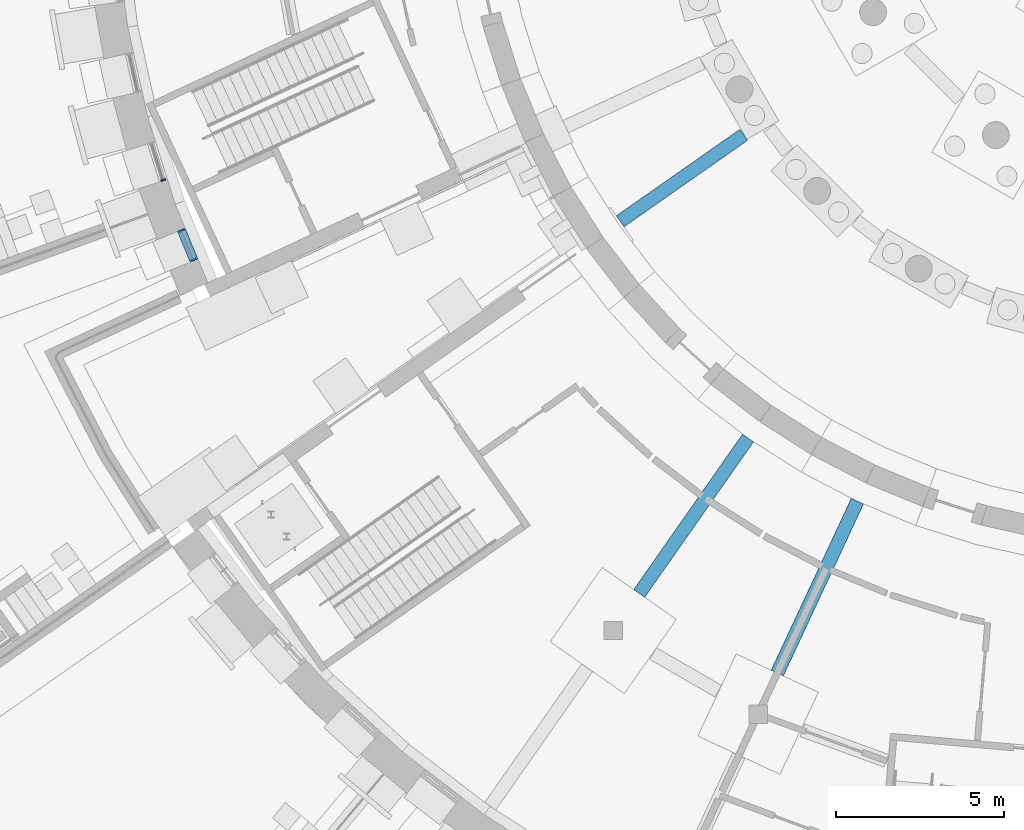
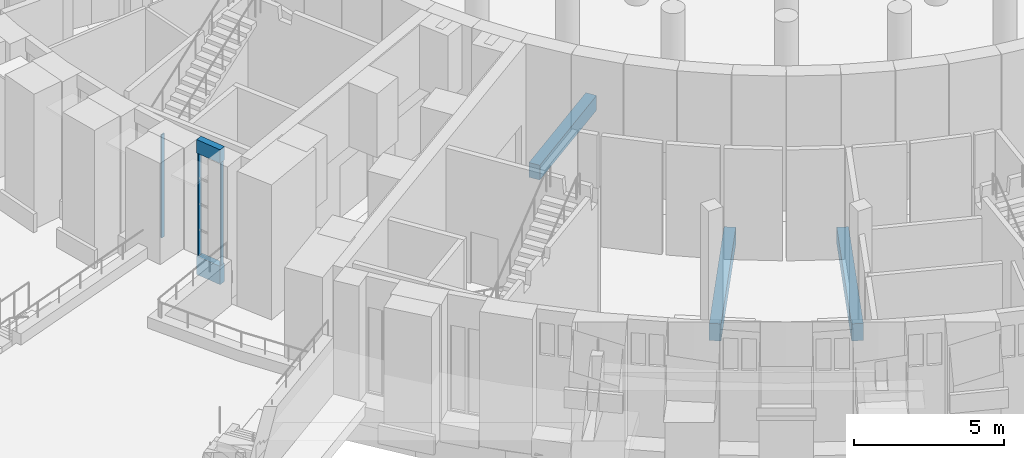
# One storey, part 14 of 65: 5 beams, 3 members, 2 elements without a shape of their own.
"""IFC4 building model written with IfcOpenShell, lengths in metres."""

from ifc_helpers import new_model, si_unit, direction, frame, origin, origin_2d, place, context, subcontext, project, spatial, rectangle, extrude, material, layer, layer_set, material_profile, profile_set, type_object, element, aggregate, save


model = new_model("IFC4")

# Units and contexts
model_context = context("Model", 3, precision=1e-05, world=origin(), true_north=direction((0.0, 1.0)))
body_context = subcontext(model_context, "Body", "Model", "MODEL_VIEW")
ifc_project = project(units=[si_unit("LENGTHUNIT", "METRE"), si_unit("AREAUNIT", "SQUARE_METRE"), si_unit("VOLUMEUNIT", "CUBIC_METRE"), si_unit("PLANEANGLEUNIT", "RADIAN"), si_unit("MASSUNIT", "GRAM", prefix="KILO")], contexts=[model_context])

# Site, building, storey
site_placement = place(None, origin())
site = spatial("IfcSite", under=ifc_project, at=site_placement, CompositionType="ELEMENT")
building_placement = place(site_placement, origin())
building = spatial("IfcBuilding", under=site, at=building_placement, Name="Volute Hill Aquarium", CompositionType="ELEMENT")
storey_placement = place(building_placement, frame((0.0, 0.0, -5.5)))
storey = spatial("IfcBuildingStorey", under=building, at=storey_placement, Name="L00", CompositionType="ELEMENT", Elevation=-5.5)

# Curtain wall, member
ifc_material_1 = material(Name="Aluminium", Category="aluminium")
ifc_layer_1 = layer(ifc_material_1, 0.25)
ifc_layer_set_1 = layer_set([ifc_layer_1], Name="Curtain wall niche S1 module 1193")
curtain_wall_type_1 = type_object("IfcCurtainWallType", Name="Curtain wall niche S1 module 1193", PredefinedType="NOTDEFINED", material=ifc_layer_set_1)
curtain_wall_1_placement = place(storey_placement, origin())
curtain_wall_1 = element("IfcCurtainWall", 1, at=curtain_wall_1_placement, inside=storey, type_object=curtain_wall_type_1, Name="Curtain wall CW S1 L00 9", PredefinedType="NOTDEFINED")
ifc_material_2 = material(Name="Aluminium", Category="aluminium")
ifc_material_profile_1 = material_profile(ifc_material_2, rectangle(XDim=0.14990234375, YDim=0.050048828125, at=origin_2d()), Name="Curtain wall mullion S1 50x150")
ifc_profile_set_1 = profile_set([ifc_material_profile_1], Name="Aluminium")
member_type = type_object("IfcMemberType", Name="Curtain wall mullion S1 50x150", PredefinedType="MULLION", material=ifc_profile_set_1)
member_1_placement = place(storey_placement, frame((-29.8173828125, -10.000732421875, 0.75), z_axis=(0.0, 0.0, 1.0), x_axis=(0.95371888454, 0.30069966623, 0.0)))
member_1 = element("IfcMember", 2, at=member_1_placement, type_object=member_type, Name="CW mullion 2", PredefinedType="MULLION", context=body_context, shape_type="SweptSolid", body=[
    extrude(rectangle(XDim=0.14990234375, YDim=0.050048828125, at=origin_2d()), origin(), (0.0, 0.0, 1.0), 4.199951171875),
])
aggregate(curtain_wall_1, [member_1])

# Curtain wall, members
ifc_material_3 = material(Name="Aluminium", Category="aluminium")
ifc_layer_2 = layer(ifc_material_3, 0.25)
ifc_layer_set_2 = layer_set([ifc_layer_2], Name="Curtain wall niche S1 module 993")
curtain_wall_type_2 = type_object("IfcCurtainWallType", Name="Curtain wall niche S1 module 993", PredefinedType="NOTDEFINED", material=ifc_layer_set_2)
curtain_wall_2_placement = place(storey_placement, origin())
curtain_wall_2 = element("IfcCurtainWall", 3, at=curtain_wall_2_placement, inside=storey, type_object=curtain_wall_type_2, Name="Curtain wall CW S1 L00 10", PredefinedType="NOTDEFINED")
member_2_placement = place(storey_placement, frame((-29.269775390625, -11.50537109375, 0.75), z_axis=(0.0, 0.0, 1.0), x_axis=(0.923885219671, 0.382669702059, 0.0)))
member_2 = element("IfcMember", 4, at=member_2_placement, type_object=member_type, Name="CW mullion 1", PredefinedType="MULLION", context=body_context, shape_type="SweptSolid", body=[
    extrude(rectangle(XDim=0.14990234375, YDim=0.050048828125, at=origin_2d()), origin(), (0.0, 0.0, 1.0), 4.199951171875),
])
member_3_placement = place(storey_placement, frame((-28.9091796875, -12.37646484375, 0.75), z_axis=(0.0, 0.0, 1.0), x_axis=(0.923885219671, 0.382669702059, 0.0)))
member_3 = element("IfcMember", 5, at=member_3_placement, type_object=member_type, Name="CW mullion 2", PredefinedType="MULLION", context=body_context, shape_type="SweptSolid", body=[
    extrude(rectangle(XDim=0.14990234375, YDim=0.050048828125, at=origin_2d()), origin(), (0.0, 0.0, 1.0), 4.199951171875),
])
aggregate(curtain_wall_2, [member_2, member_3])

# Beams
ifc_material_4 = material(Name="Concrete C35/45", Category="concrete")
ifc_material_profile_2 = material_profile(ifc_material_4, rectangle(XDim=0.25, YDim=0.550048828125, at=origin_2d()), Name="RC beam 250x550")
ifc_profile_set_2 = profile_set([ifc_material_profile_2], Name="Concrete C35/45")
beam_type_1 = type_object("IfcBeamType", Name="Niche head beam RC 250x550 C35/45", PredefinedType="BEAM", material=ifc_profile_set_2)
beam_1_placement = place(storey_placement, frame((-29.279296875, -11.482421875, 5.22509765625), z_axis=(0.382728331332, -0.923860933472, 0.0), x_axis=(0.923860933472, 0.382728331332, 0.0)))
element("IfcBeam", 6, at=beam_1_placement, inside=storey, type_object=beam_type_1, Name="Niche head beam OWB S1 L00 10", PredefinedType="BEAM", context=body_context, shape_type="SweptSolid", body=[
    extrude(rectangle(XDim=0.25, YDim=0.550048828125, at=origin_2d()), origin(), (0.0, 0.0, 1.0), 0.99267578125),
])
ifc_material_5 = material(Name="Concrete C35/45", Category="concrete")
ifc_material_profile_3 = material_profile(ifc_material_5, rectangle(XDim=0.25, YDim=0.75, at=origin_2d()), Name="RC beam 250x750")
ifc_profile_set_3 = profile_set([ifc_material_profile_3], Name="Concrete C35/45")
beam_type_2 = type_object("IfcBeamType", Name="Niche sill beam RC 250x750 C35/45", PredefinedType="BEAM", material=ifc_profile_set_3)
beam_2_placement = place(storey_placement, frame((-29.279296875, -11.482421875, 0.375), z_axis=(0.382728331332, -0.923860933472, 0.0), x_axis=(0.923860933472, 0.382728331332, 0.0)))
element("IfcBeam", 7, at=beam_2_placement, inside=storey, type_object=beam_type_2, Name="Niche sill beam OWB S1 L00 10", PredefinedType="BEAM", context=body_context, shape_type="SweptSolid", body=[
    extrude(rectangle(XDim=0.25, YDim=0.75, at=origin_2d()), origin(), (0.0, 0.0, 1.0), 0.99267578125),
])
ifc_material_6 = material(Name="Concrete C30/37", Category="concrete")
ifc_material_profile_4 = material_profile(ifc_material_6, rectangle(XDim=0.39990234375, YDim=0.60009765625, at=origin_2d()), Name="RC tie beam 400x600")
ifc_profile_set_4 = profile_set([ifc_material_profile_4], Name="Concrete C30/37")
beam_type_3 = type_object("IfcBeamType", Name="Tie beam 400x600 C30/37", PredefinedType="BEAM", material=ifc_profile_set_4)
beam_3_placement = place(storey_placement, frame((-16.197265625, -11.231689453125, -0.60009765625), z_axis=(0.819150271125, 0.573578968683, 0.0), x_axis=(-0.573578968683, 0.819150271125, 0.0)))
element("IfcBeam", 8, at=beam_3_placement, inside=storey, type_object=beam_type_3, Name="tb/S2/L00/eA1", PredefinedType="BEAM", context=body_context, shape_type="SweptSolid", body=[
    extrude(rectangle(XDim=0.39990234375, YDim=0.60009765625, at=origin_2d()), origin(), (0.0, 0.0, 1.0), 4.49560546875),
])
ifc_material_7 = material(Name="Concrete C30/37", Category="concrete")
ifc_material_profile_5 = material_profile(ifc_material_7, rectangle(XDim=0.39990234375, YDim=0.699951171875, at=origin_2d()), Name="RC tie beam 400x700")
ifc_profile_set_5 = profile_set([ifc_material_profile_5], Name="Concrete C30/37")
beam_type_4 = type_object("IfcBeamType", Name="Tie beam 400x700 C30/37", PredefinedType="BEAM", material=ifc_profile_set_5)
beam_4_placement = place(storey_placement, frame((-15.6298828125, -22.32177734375, -0.6298828125), z_axis=(0.573552244972, 0.819168982742, 0.0), x_axis=(-0.819168982742, 0.573552244972, 0.0)))
element("IfcBeam", 9, at=beam_4_placement, inside=storey, type_object=beam_type_4, Name="tb/S2/L00/8", PredefinedType="BEAM", context=body_context, shape_type="SweptSolid", body=[
    extrude(rectangle(XDim=0.39990234375, YDim=0.699951171875, at=origin_2d()), origin(), (0.0, 0.0, 1.0), 5.64990234375),
])
beam_5_placement = place(storey_placement, frame((-11.51611328125, -24.6962890625, -0.6298828125), z_axis=(0.422603913596, 0.906314477548, 0.0), x_axis=(-0.906314477548, 0.422603913596, 0.0)))
element("IfcBeam", 10, at=beam_5_placement, inside=storey, type_object=beam_type_4, Name="tb/S2/L00/11", PredefinedType="BEAM", context=body_context, shape_type="SweptSolid", body=[
    extrude(rectangle(XDim=0.39990234375, YDim=0.699951171875, at=origin_2d()), origin(), (0.0, 0.0, 1.0), 5.6494140625),
])

save(model, "model.ifc")
